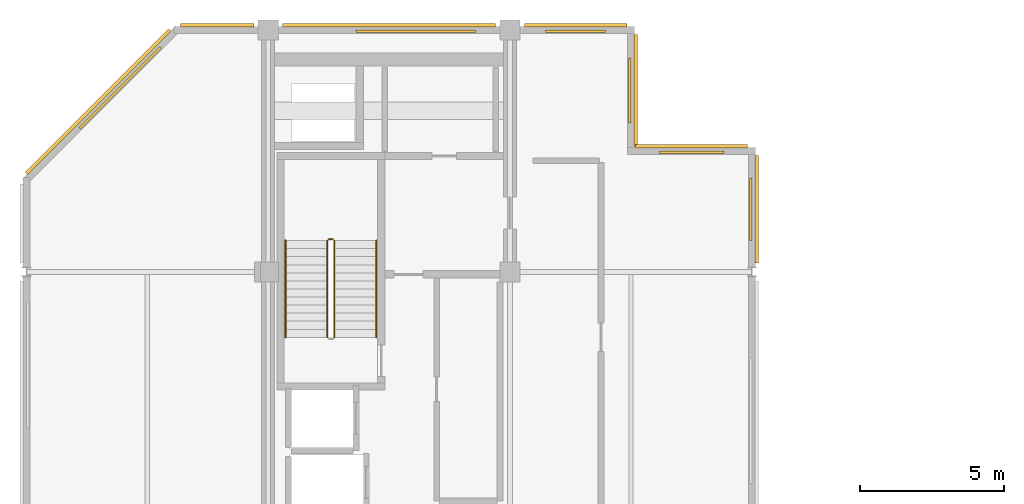
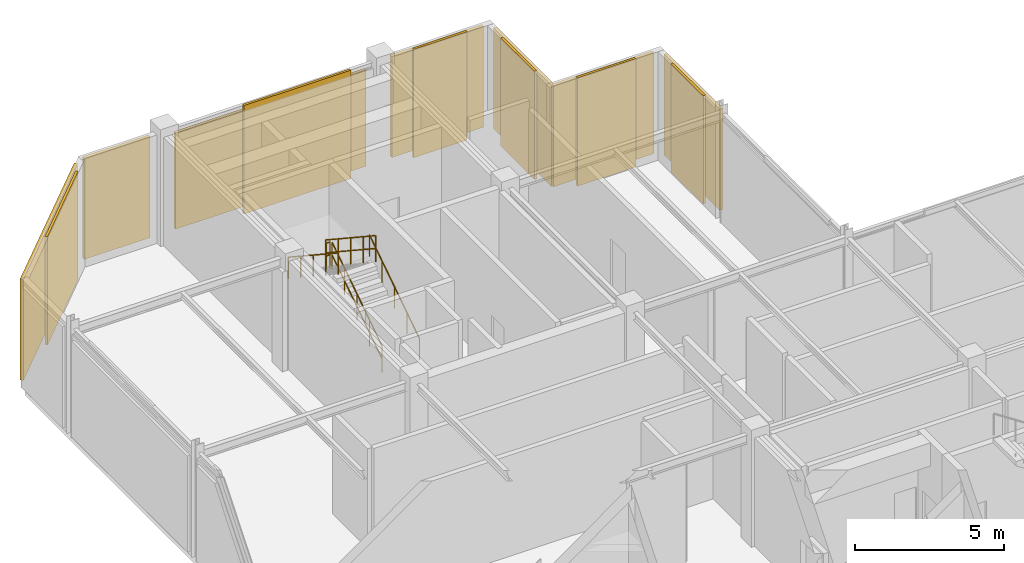
# One storey, part 9 of 9: 7 shading devices, 6 coverings, 5 railings.
"""IFC4 building model written with IfcOpenShell, lengths in metres."""

from ifc_helpers import new_model, si_unit, direction, frame, origin, origin_2d, place, context, subcontext, project, spatial, rectangle, circle, extrude, material, layer, layer_set, type_object, element, save


model = new_model("IFC4")

# Units and contexts
model_context = context("Model", 3, precision=1e-05, world=origin(), true_north=direction((0.0, 1.0)))
body_context = subcontext(model_context, "Body", "Model", "MODEL_VIEW")
ifc_project = project(units=[si_unit("LENGTHUNIT", "METRE"), si_unit("AREAUNIT", "SQUARE_METRE"), si_unit("VOLUMEUNIT", "CUBIC_METRE"), si_unit("PLANEANGLEUNIT", "RADIAN"), si_unit("MASSUNIT", "GRAM", prefix="KILO")], contexts=[model_context])

# Site, building, storey
site_placement = place(None, origin())
site = spatial("IfcSite", under=ifc_project, at=site_placement, CompositionType="ELEMENT")
building_placement = place(site_placement, origin())
building = spatial("IfcBuilding", under=site, at=building_placement, Name="Nerrivon Quay Data Exchange", CompositionType="ELEMENT")
storey_placement = place(building_placement, frame((0.0, 0.0, 322.199951171875)))
storey = spatial("IfcBuildingStorey", under=building, at=storey_placement, Name="L77", CompositionType="ELEMENT", Elevation=322.199951171875)

# Coverings
ifc_material_1 = material(Name="Architectural terracotta ceramic", Category="masonry")
ifc_layer_1 = layer(ifc_material_1, 0.090087890625)
ifc_layer_set_1 = layer_set([ifc_layer_1], Name="Architectural terracotta ceramic")
covering_type = type_object("IfcCoveringType", Name="COV-SCR-TERR", PredefinedType="CLADDING", material=ifc_layer_set_1)
covering_1_placement = place(storey_placement, frame((3.255859375, 39.9921875, 0.0), z_axis=(0.0, 0.0, 1.0), x_axis=(0.707106781187, 0.707106781187, 0.0)))
element("IfcCovering", 1, at=covering_1_placement, inside=storey, type_object=covering_type, Name="L77 Perforated Terracotta SOLAR SCREEN Cassette", PredefinedType="CLADDING", context=body_context, shape_type="SweptSolid", body=[
    extrude(rectangle(XDim=3.970947265625, YDim=0.090087890625, at=origin_2d()), origin(), (0.0, 0.0, 1.0), 4.449951171875),
])
covering_2_placement = place(storey_placement, frame((13.52392578125, 41.955078125, 0.0), z_axis=(0.0, 0.0, 1.0), x_axis=(1.0, 0.0, 0.0)))
element("IfcCovering", 2, at=covering_2_placement, inside=storey, type_object=covering_type, Name="L77 Perforated Terracotta SOLAR SCREEN Cassette", PredefinedType="CLADDING", context=body_context, shape_type="SweptSolid", body=[
    extrude(rectangle(XDim=4.157958984375, YDim=0.090087890625, at=origin_2d()), origin(), (0.0, 0.0, 1.0), 4.449951171875),
])
covering_3_placement = place(storey_placement, frame((19.074951171875, 41.955078125, 0.0), z_axis=(0.0, 0.0, 1.0), x_axis=(1.0, 0.0, 0.0)))
element("IfcCovering", 3, at=covering_3_placement, inside=storey, type_object=covering_type, Name="L77 Perforated Terracotta SOLAR SCREEN Cassette", PredefinedType="CLADDING", context=body_context, shape_type="SweptSolid", body=[
    extrude(rectangle(XDim=2.0791015625, YDim=0.090087890625, at=origin_2d()), origin(), (0.0, 0.0, 1.0), 4.449951171875),
])
for number, where, z_axis, x_axis, name in (
    (4, (20.955078125, 39.89990234375, 0.0), (0.0, 0.0, 1.0), (0.0, -1.0, 0.0), "L77 Perforated Terracotta SOLAR SCREEN Cassette"),
    (5, (23.10009765625, 37.7548828125, 0.0), (0.0, 0.0, 1.0), (1.0, 0.0, 0.0), "L77 Perforated Terracotta SOLAR SCREEN Cassette"),
):
    element("IfcCovering", number, at=place(storey_placement, frame(where, z_axis=z_axis, x_axis=x_axis)), inside=storey, type_object=covering_type, Name=name, PredefinedType="CLADDING", context=body_context, shape_type="SweptSolid", body=[
        extrude(rectangle(XDim=2.26806640625, YDim=0.090087890625, at=origin_2d()), origin(), (0.0, 0.0, 1.0), 4.449951171875),
    ])
covering_4_placement = place(storey_placement, frame((25.155029296875, 35.77880859375, 0.0), z_axis=(0.0, 0.0, 1.0), x_axis=(0.0, -1.0, 0.0)))
element("IfcCovering", 6, at=covering_4_placement, inside=storey, type_object=covering_type, Name="L77 Perforated Terracotta SOLAR SCREEN Cassette", PredefinedType="CLADDING", context=body_context, shape_type="SweptSolid", body=[
    extrude(rectangle(XDim=2.18310546875, YDim=0.090087890625, at=origin_2d()), origin(), (0.0, 0.0, 1.0), 4.449951171875),
])

# Railings
ifc_material_2 = material(Name="Steel Grade C350L0 (350 MPa)", Category="steel")
railing_type_1 = type_object("IfcRailingType", Name="RAIL-HAND-HR1", PredefinedType="HANDRAIL", material=ifc_material_2)
railing_1_placement = place(storey_placement, frame((12.14990234375, 31.330078125, 0.1845703125)))
element("IfcRailing", 7, at=railing_1_placement, inside=storey, type_object=railing_type_1, Name="L77 ST01 stair handrail 1", PredefinedType="HANDRAIL", context=body_context, shape_type="SweptSolid", body=[
    extrude(circle(Radius=0.02392578125, at=origin_2d()), frame((0.0, 0.0, 0.8759765625), z_axis=(0.0, 0.83483021737, 0.550507500554), x_axis=(-1.0, 0.0, 0.0)), (0.0, 0.0, 1.0), 4.024658203125),
    extrude(circle(Radius=0.02099609375, at=origin_2d()), origin(), (0.0, 0.0, 1.0), 0.851806640625),
    extrude(circle(Radius=0.02099609375, at=origin_2d()), frame((0.0, 0.83984375, 0.553955078125)), (0.0, 0.0, 1.0), 0.851806640625),
    extrude(circle(Radius=0.02099609375, at=origin_2d()), frame((0.0, 1.679931640625, 1.10791015625)), (0.0, 0.0, 1.0), 0.851806640625),
    extrude(circle(Radius=0.02099609375, at=origin_2d()), frame((0.0, 2.52001953125, 1.66162109375)), (0.0, 0.0, 1.0), 0.851806640625),
    extrude(circle(Radius=0.02099609375, at=origin_2d()), frame((0.0, 3.35986328125, 2.215576171875)), (0.0, 0.0, 1.0), 0.851806640625),
])
railing_2_placement = place(storey_placement, frame((9.0, 34.68994140625, 2.584716796875)))
element("IfcRailing", 8, at=railing_2_placement, inside=storey, type_object=railing_type_1, Name="L77 ST01 stair handrail 2", PredefinedType="HANDRAIL", context=body_context, shape_type="SweptSolid", body=[
    extrude(circle(Radius=0.02392578125, at=origin_2d()), frame((0.0, 0.0, 0.8759765625), z_axis=(0.0, -0.834858096282, 0.550465220583), x_axis=(1.0, 0.0, 0.0)), (0.0, 0.0, 1.0), 4.0244140625),
    extrude(circle(Radius=0.02099609375, at=origin_2d()), origin(), (0.0, 0.0, 1.0), 0.851806640625),
    extrude(circle(Radius=0.02099609375, at=origin_2d()), frame((0.0, -0.83984375, 0.5537109375)), (0.0, 0.0, 1.0), 0.851806640625),
    extrude(circle(Radius=0.02099609375, at=origin_2d()), frame((0.0, -1.679931640625, 1.107666015625)), (0.0, 0.0, 1.0), 0.851806640625),
    extrude(circle(Radius=0.02099609375, at=origin_2d()), frame((0.0, -2.52001953125, 1.66162109375)), (0.0, 0.0, 1.0), 0.851806640625),
    extrude(circle(Radius=0.02099609375, at=origin_2d()), frame((0.0, -3.35986328125, 2.21533203125)), (0.0, 0.0, 1.0), 0.851806640625),
])
railing_type_2 = type_object("IfcRailingType", Name="RAIL-STAIR-GR1", PredefinedType="BALUSTRADE", material=ifc_material_2)
railing_3_placement = place(storey_placement, frame((10.699951171875, 31.330078125, 0.1845703125)))
element("IfcRailing", 9, at=railing_3_placement, inside=storey, type_object=railing_type_2, Name="L77 ST01 stair guard 1", PredefinedType="BALUSTRADE", context=body_context, shape_type="SweptSolid", body=[
    extrude(circle(Radius=0.02392578125, at=origin_2d()), frame((0.0, 0.0, 1.076171875), z_axis=(0.0, 0.83483021737, 0.550507500554), x_axis=(-1.0, 0.0, 0.0)), (0.0, 0.0, 1.0), 4.024658203125),
    extrude(circle(Radius=0.02392578125, at=origin_2d()), frame((0.0, 0.0, 0.550048828125), z_axis=(0.0, 0.83483021737, 0.550507500554), x_axis=(-1.0, 0.0, 0.0)), (0.0, 0.0, 1.0), 4.024658203125),
    extrude(circle(Radius=0.02099609375, at=origin_2d()), origin(), (0.0, 0.0, 1.0), 1.052001953125),
    extrude(circle(Radius=0.02099609375, at=origin_2d()), frame((0.0, 0.83984375, 0.553955078125)), (0.0, 0.0, 1.0), 1.052001953125),
    extrude(circle(Radius=0.02099609375, at=origin_2d()), frame((0.0, 1.679931640625, 1.10791015625)), (0.0, 0.0, 1.0), 1.052001953125),
    extrude(circle(Radius=0.02099609375, at=origin_2d()), frame((0.0, 2.52001953125, 1.66162109375)), (0.0, 0.0, 1.0), 1.052001953125),
    extrude(circle(Radius=0.02099609375, at=origin_2d()), frame((0.0, 3.35986328125, 2.215576171875)), (0.0, 0.0, 1.0), 1.052001953125),
])
railing_4_placement = place(storey_placement, frame((10.64990234375, 34.739990234375, 2.400146484375)))
element("IfcRailing", 10, at=railing_4_placement, inside=storey, type_object=railing_type_2, Name="L77 ST01 stair guard 2", PredefinedType="BALUSTRADE", context=body_context, shape_type="SweptSolid", body=[
    extrude(circle(Radius=0.02392578125, at=origin_2d()), frame((0.0, 0.0, 1.076171875), z_axis=(-1.0, 0.0, 0.0), x_axis=(0.0, -1.0, 0.0)), (0.0, 0.0, 1.0), 0.14990234375),
    extrude(circle(Radius=0.02392578125, at=origin_2d()), frame((0.0, 0.0, 0.550048828125), z_axis=(-1.0, 0.0, 0.0), x_axis=(0.0, -1.0, 0.0)), (0.0, 0.0, 1.0), 0.14990234375),
    extrude(circle(Radius=0.02099609375, at=origin_2d()), origin(), (0.0, 0.0, 1.0), 1.052001953125),
    extrude(circle(Radius=0.02099609375, at=origin_2d()), frame((-0.14990234375, 0.0, 0.0)), (0.0, 0.0, 1.0), 1.052001953125),
])
railing_5_placement = place(storey_placement, frame((10.449951171875, 34.68994140625, 2.584716796875)))
element("IfcRailing", 11, at=railing_5_placement, inside=storey, type_object=railing_type_2, Name="L77 ST01 stair guard 3", PredefinedType="BALUSTRADE", context=body_context, shape_type="SweptSolid", body=[
    extrude(circle(Radius=0.02392578125, at=origin_2d()), frame((0.0, 0.0, 1.076171875), z_axis=(0.0, -0.834858096282, 0.550465220583), x_axis=(1.0, 0.0, 0.0)), (0.0, 0.0, 1.0), 4.0244140625),
    extrude(circle(Radius=0.02392578125, at=origin_2d()), frame((0.0, 0.0, 0.550048828125), z_axis=(0.0, -0.834858096282, 0.550465220583), x_axis=(1.0, 0.0, 0.0)), (0.0, 0.0, 1.0), 4.0244140625),
    extrude(circle(Radius=0.02099609375, at=origin_2d()), origin(), (0.0, 0.0, 1.0), 1.052001953125),
    extrude(circle(Radius=0.02099609375, at=origin_2d()), frame((0.0, -0.83984375, 0.5537109375)), (0.0, 0.0, 1.0), 1.052001953125),
    extrude(circle(Radius=0.02099609375, at=origin_2d()), frame((0.0, -1.679931640625, 1.107666015625)), (0.0, 0.0, 1.0), 1.052001953125),
    extrude(circle(Radius=0.02099609375, at=origin_2d()), frame((0.0, -2.52001953125, 1.66162109375)), (0.0, 0.0, 1.0), 1.052001953125),
    extrude(circle(Radius=0.02099609375, at=origin_2d()), frame((0.0, -3.35986328125, 2.21533203125)), (0.0, 0.0, 1.0), 1.052001953125),
])

# Shading devices
ifc_material_3 = material(Name="Anodised aluminium 6063-T6", Category="aluminium")
ifc_layer_2 = layer(ifc_material_3, 0.1201171875)
ifc_layer_set_2 = layer_set([ifc_layer_2], Name="Anodised aluminium 6063-T6")
shading_device_type = type_object("IfcShadingDeviceType", Name="SHD-LOUV-LV01", PredefinedType="JALOUSIE", material=ifc_layer_set_2)
shading_device_1_placement = place(storey_placement, frame((2.48681640625, 39.51318359375, 0.150146484375), z_axis=(0.0, 0.0, 1.0), x_axis=(0.707106781187, 0.707106781187, 0.0)))
element("IfcShadingDevice", 12, at=shading_device_1_placement, inside=storey, type_object=shading_device_type, Name="L77 Acoustic Plant Louvre LV01-13", PredefinedType="JALOUSIE", context=body_context, shape_type="SweptSolid", body=[
    extrude(rectangle(XDim=7.053955078125, YDim=0.1201171875, at=origin_2d()), origin(), (0.0, 0.0, 1.0), 4.14990234375),
])
shading_device_2_placement = place(storey_placement, frame((6.625, 42.159912109375, 0.150146484375), z_axis=(0.0, 0.0, 1.0), x_axis=(1.0, 0.0, 0.0)))
element("IfcShadingDevice", 13, at=shading_device_2_placement, inside=storey, type_object=shading_device_type, Name="L77 Acoustic Plant Louvre LV01-14", PredefinedType="JALOUSIE", context=body_context, shape_type="SweptSolid", body=[
    extrude(rectangle(XDim=2.550048828125, YDim=0.1201171875, at=origin_2d()), origin(), (0.0, 0.0, 1.0), 4.14990234375),
])
shading_device_3_placement = place(storey_placement, frame((12.60009765625, 42.159912109375, 0.14990234375), z_axis=(0.0, 0.0, 1.0), x_axis=(1.0, 0.0, 0.0)))
element("IfcShadingDevice", 14, at=shading_device_3_placement, inside=storey, type_object=shading_device_type, Name="L77 Acoustic Plant Louvre LV01-15", PredefinedType="JALOUSIE", context=body_context, shape_type="SweptSolid", body=[
    extrude(rectangle(XDim=7.39990234375, YDim=0.1201171875, at=origin_2d()), origin(), (0.0, 0.0, 1.0), 3.943115234375),
])
shading_device_4_placement = place(storey_placement, frame((19.074951171875, 42.159912109375, 0.150146484375), z_axis=(0.0, 0.0, 1.0), x_axis=(1.0, 0.0, 0.0)))
element("IfcShadingDevice", 15, at=shading_device_4_placement, inside=storey, type_object=shading_device_type, Name="L77 Acoustic Plant Louvre LV01-16", PredefinedType="JALOUSIE", context=body_context, shape_type="SweptSolid", body=[
    extrude(rectangle(XDim=3.550048828125, YDim=0.1201171875, at=origin_2d()), origin(), (0.0, 0.0, 1.0), 4.14990234375),
])
for number, where, z_axis, x_axis, name in (
    (16, (21.159912109375, 39.89990234375, 0.150146484375), (0.0, 0.0, 1.0), (0.0, -1.0, 0.0), "L77 Acoustic Plant Louvre LV01-17"),
    (17, (23.10009765625, 37.9599609375, 0.150146484375), (0.0, 0.0, 1.0), (1.0, 0.0, 0.0), "L77 Acoustic Plant Louvre LV01-18"),
):
    element("IfcShadingDevice", number, at=place(storey_placement, frame(where, z_axis=z_axis, x_axis=x_axis)), inside=storey, type_object=shading_device_type, Name=name, PredefinedType="JALOUSIE", context=body_context, shape_type="SweptSolid", body=[
        extrude(rectangle(XDim=3.89990234375, YDim=0.1201171875, at=origin_2d()), origin(), (0.0, 0.0, 1.0), 4.14990234375),
    ])
shading_device_5_placement = place(storey_placement, frame((25.360107421875, 35.77880859375, 0.150146484375), z_axis=(0.0, 0.0, 1.0), x_axis=(0.0, -1.0, 0.0)))
element("IfcShadingDevice", 18, at=shading_device_5_placement, inside=storey, type_object=shading_device_type, Name="L77 Acoustic Plant Louvre LV01-19", PredefinedType="JALOUSIE", context=body_context, shape_type="SweptSolid", body=[
    extrude(rectangle(XDim=3.742431640625, YDim=0.1201171875, at=origin_2d()), origin(), (0.0, 0.0, 1.0), 4.14990234375),
])

save(model, "model.ifc")
